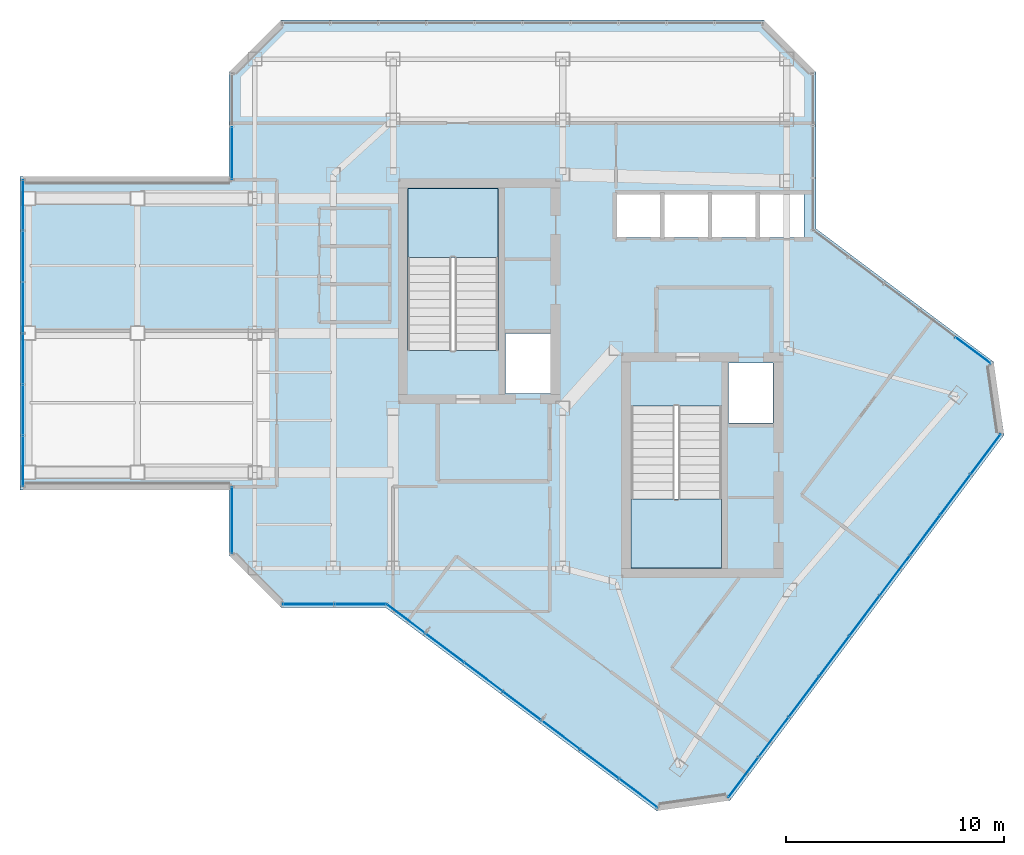
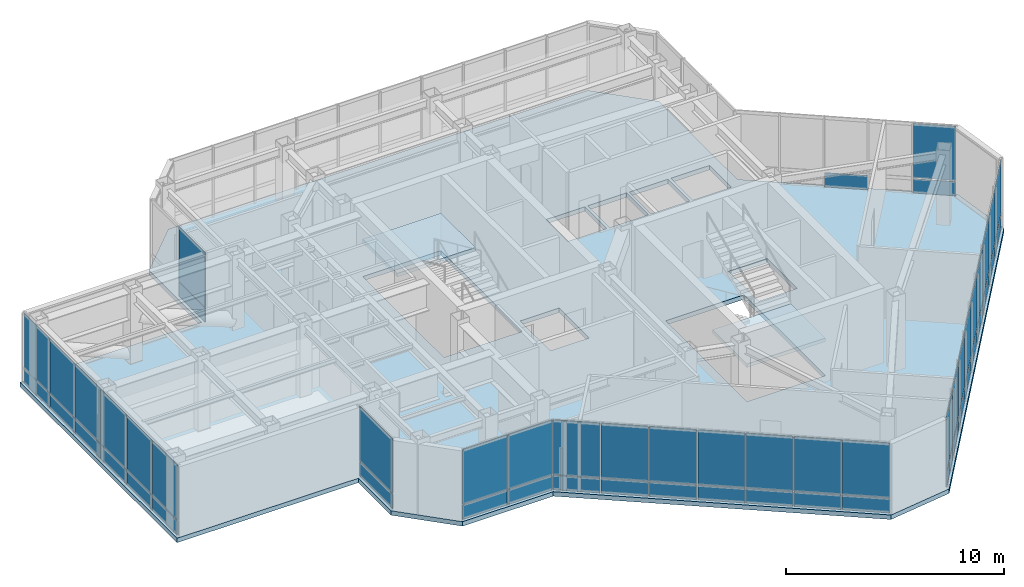
# One storey, part 16 of 22: 55 plates, 3 slabs, 9 elements without a shape of their own.
"""IFC4 building model written with IfcOpenShell, lengths in metres."""

from ifc_helpers import new_model, si_unit, direction, frame, origin, origin_2d, place, context, subcontext, project, spatial, polyline, rectangle, outline, extrude, material, layer, layer_set, type_object, element, aggregate, save


model = new_model("IFC4")

# Units and contexts
model_context = context("Model", 3, precision=1e-05, world=origin(), true_north=direction((0.0, 1.0)))
body_context = subcontext(model_context, "Body", "Model", "MODEL_VIEW")
ifc_project = project(units=[si_unit("LENGTHUNIT", "METRE"), si_unit("AREAUNIT", "SQUARE_METRE"), si_unit("VOLUMEUNIT", "CUBIC_METRE"), si_unit("PLANEANGLEUNIT", "RADIAN"), si_unit("MASSUNIT", "GRAM", prefix="KILO")], contexts=[model_context])

# Site, building, storey
site_placement = place(None, origin())
site = spatial("IfcSite", under=ifc_project, at=site_placement, CompositionType="ELEMENT")
building_placement = place(site_placement, origin())
building = spatial("IfcBuilding", under=site, at=building_placement, Name="Hatsunagi Terrace Concourse", CompositionType="ELEMENT")
storey_placement = place(building_placement, frame((0.0, 0.0, 257.550048828125)))
storey = spatial("IfcBuildingStorey", under=building, at=storey_placement, Name="L68", CompositionType="ELEMENT", Elevation=257.550048828125)

# Curtain wall, plate
ifc_material_1 = material(Name="Anodised Aluminium Alloy 6063-T5", Category="aluminium")
ifc_layer_1 = layer(ifc_material_1, 0.199951171875)
ifc_layer_set_1 = layer_set([ifc_layer_1], Name="SkyLobbyAtrium_CW05")
curtain_wall_type = type_object("IfcCurtainWallType", Name="SkyLobbyAtrium_CW05", PredefinedType="NOTDEFINED", material=ifc_layer_set_1)
curtain_wall_1_placement = place(storey_placement, origin())
curtain_wall_1 = element("IfcCurtainWall", 1, at=curtain_wall_1_placement, inside=storey, type_object=curtain_wall_type, Name="Unitised Curtain Wall CW-05 CW-L68-01", PredefinedType="NOTDEFINED")
ifc_material_2 = material(Name="Warm Terracotta Ceramic Spandrel Panel", Category="masonry")
ifc_layer_2 = layer(ifc_material_2, 0.031982421875)
ifc_layer_set_2 = layer_set([ifc_layer_2], Name="CurtainWallSpandrelPanel_32")
plate_type_1 = type_object("IfcPlateType", Name="CurtainWallSpandrelPanel_32", PredefinedType="SHEET", material=ifc_layer_set_2)
plate_1_placement = place(storey_placement, frame((18.139892578125, 44.281005859375, 0.030029296875), z_axis=(0.0, 0.0, 1.0), x_axis=(0.0, 1.0, 0.0)))
plate_1 = element("IfcPlate", 2, at=plate_1_placement, type_object=plate_type_1, Name="Terracotta Spandrel Panel SPN-01", PredefinedType="SHEET", context=body_context, shape_type="SweptSolid", body=[
    extrude(rectangle(XDim=2.385986328125, YDim=0.031982421875, at=origin_2d()), origin(), (0.0, 0.0, 1.0), 0.7900390625),
])

# Curtain wall, plates
curtain_wall_2_placement = place(storey_placement, origin())
curtain_wall_2 = element("IfcCurtainWall", 3, at=curtain_wall_2_placement, inside=storey, type_object=curtain_wall_type, Name="Unitised Curtain Wall CW-05 CW-L68-06", PredefinedType="NOTDEFINED")
plate_2_placement = place(storey_placement, frame((48.945068359375, 37.666015625, 0.030029296875), z_axis=(0.0, 0.0, 1.0), x_axis=(0.800023013105, -0.599969314634, 0.0)))
plate_2 = element("IfcPlate", 4, at=plate_2_placement, type_object=plate_type_1, Name="Terracotta Spandrel Panel SPN-01", PredefinedType="SHEET", context=body_context, shape_type="SweptSolid", body=[
    extrude(rectangle(XDim=1.987060546875, YDim=0.031982421875, at=origin_2d()), origin(), (0.0, 0.0, 1.0), 0.7900390625),
])
plate_3_placement = place(storey_placement, frame((52.212890625, 35.216064453125, 0.030029296875), z_axis=(0.0, 0.0, 1.0), x_axis=(0.800023013105, -0.599969314634, 0.0)))
plate_3 = element("IfcPlate", 5, at=plate_3_placement, type_object=plate_type_1, Name="Terracotta Spandrel Panel SPN-01", PredefinedType="SHEET", context=body_context, shape_type="SweptSolid", body=[
    extrude(rectangle(XDim=1.987060546875, YDim=0.031982421875, at=origin_2d()), origin(), (0.0, 0.0, 1.0), 0.7900390625),
])

curtain_wall_3_placement = place(storey_placement, origin())
curtain_wall_3 = element("IfcCurtainWall", 6, at=curtain_wall_3_placement, inside=storey, type_object=curtain_wall_type, Name="Unitised Curtain Wall CW-05 CW-L68-08", PredefinedType="NOTDEFINED")
plate_4_placement = place(storey_placement, frame((52.797119140625, 30.429931640625, 0.030029296875), z_axis=(0.0, 0.0, 1.0), x_axis=(-0.599969314634, -0.800023013105, 0.0)))
plate_4 = element("IfcPlate", 7, at=plate_4_placement, type_object=plate_type_1, Name="Terracotta Spandrel Panel SPN-01", PredefinedType="SHEET", context=body_context, shape_type="SweptSolid", body=[
    extrude(rectangle(XDim=2.264892578125, YDim=0.031982421875, at=origin_2d()), origin(), (0.0, 0.0, 1.0), 0.7900390625),
])
plate_5_placement = place(storey_placement, frame((51.405029296875, 28.572998046875, 0.030029296875), z_axis=(0.0, 0.0, 1.0), x_axis=(-0.599969314634, -0.800023013105, 0.0)))
plate_5 = element("IfcPlate", 8, at=plate_5_placement, type_object=plate_type_1, Name="Terracotta Spandrel Panel SPN-01", PredefinedType="SHEET", context=body_context, shape_type="SweptSolid", body=[
    extrude(rectangle(XDim=2.264892578125, YDim=0.031982421875, at=origin_2d()), origin(), (0.0, 0.0, 1.0), 0.7900390625),
])
plate_6_placement = place(storey_placement, frame((50.011962890625, 26.717041015625, 0.030029296875), z_axis=(0.0, 0.0, 1.0), x_axis=(-0.599969314634, -0.800023013105, 0.0)))
plate_6 = element("IfcPlate", 9, at=plate_6_placement, type_object=plate_type_1, Name="Terracotta Spandrel Panel SPN-01", PredefinedType="SHEET", context=body_context, shape_type="SweptSolid", body=[
    extrude(rectangle(XDim=2.264892578125, YDim=0.031982421875, at=origin_2d()), origin(), (0.0, 0.0, 1.0), 0.7900390625),
])
plate_7_placement = place(storey_placement, frame((48.6201171875, 24.860107421875, 0.030029296875), z_axis=(0.0, 0.0, 1.0), x_axis=(-0.599969314634, -0.800023013105, 0.0)))
plate_7 = element("IfcPlate", 10, at=plate_7_placement, type_object=plate_type_1, Name="Terracotta Spandrel Panel SPN-01", PredefinedType="SHEET", context=body_context, shape_type="SweptSolid", body=[
    extrude(rectangle(XDim=2.264892578125, YDim=0.031982421875, at=origin_2d()), origin(), (0.0, 0.0, 1.0), 0.7900390625),
])
plate_8_placement = place(storey_placement, frame((47.22802734375, 23.00390625, 0.030029296875), z_axis=(0.0, 0.0, 1.0), x_axis=(-0.599969314634, -0.800023013105, 0.0)))
plate_8 = element("IfcPlate", 11, at=plate_8_placement, type_object=plate_type_1, Name="Terracotta Spandrel Panel SPN-01", PredefinedType="SHEET", context=body_context, shape_type="SweptSolid", body=[
    extrude(rectangle(XDim=2.264892578125, YDim=0.031982421875, at=origin_2d()), origin(), (0.0, 0.0, 1.0), 0.7900390625),
])
plate_9_placement = place(storey_placement, frame((45.8359375, 21.14794921875, 0.030029296875), z_axis=(0.0, 0.0, 1.0), x_axis=(-0.599969314634, -0.800023013105, 0.0)))
plate_9 = element("IfcPlate", 12, at=plate_9_placement, type_object=plate_type_1, Name="Terracotta Spandrel Panel SPN-01", PredefinedType="SHEET", context=body_context, shape_type="SweptSolid", body=[
    extrude(rectangle(XDim=2.264892578125, YDim=0.031982421875, at=origin_2d()), origin(), (0.0, 0.0, 1.0), 0.7900390625),
])
plate_10_placement = place(storey_placement, frame((44.444091796875, 19.291015625, 0.030029296875), z_axis=(0.0, 0.0, 1.0), x_axis=(-0.599969314634, -0.800023013105, 0.0)))
plate_10 = element("IfcPlate", 13, at=plate_10_placement, type_object=plate_type_1, Name="Terracotta Spandrel Panel SPN-01", PredefinedType="SHEET", context=body_context, shape_type="SweptSolid", body=[
    extrude(rectangle(XDim=2.264892578125, YDim=0.031982421875, at=origin_2d()), origin(), (0.0, 0.0, 1.0), 0.7900390625),
])
plate_11_placement = place(storey_placement, frame((43.051025390625, 17.43505859375, 0.030029296875), z_axis=(0.0, 0.0, 1.0), x_axis=(-0.599969314634, -0.800023013105, 0.0)))
plate_11 = element("IfcPlate", 14, at=plate_11_placement, type_object=plate_type_1, Name="Terracotta Spandrel Panel SPN-01", PredefinedType="SHEET", context=body_context, shape_type="SweptSolid", body=[
    extrude(rectangle(XDim=2.264892578125, YDim=0.031982421875, at=origin_2d()), origin(), (0.0, 0.0, 1.0), 0.7900390625),
])
plate_12_placement = place(storey_placement, frame((41.658935546875, 15.577880859375, 0.030029296875), z_axis=(0.0, 0.0, 1.0), x_axis=(-0.599969314634, -0.800023013105, 0.0)))
plate_12 = element("IfcPlate", 15, at=plate_12_placement, type_object=plate_type_1, Name="Terracotta Spandrel Panel SPN-01", PredefinedType="SHEET", context=body_context, shape_type="SweptSolid", body=[
    extrude(rectangle(XDim=2.264892578125, YDim=0.031982421875, at=origin_2d()), origin(), (0.0, 0.0, 1.0), 0.7900390625),
])

curtain_wall_4_placement = place(storey_placement, origin())
curtain_wall_4 = element("IfcCurtainWall", 16, at=curtain_wall_4_placement, inside=storey, type_object=curtain_wall_type, Name="Unitised Curtain Wall CW-05 CW-L68-10", PredefinedType="NOTDEFINED")
plate_13_placement = place(storey_placement, frame((36.826904296875, 14.85498046875, 0.030029296875), z_axis=(0.0, 0.0, 1.0), x_axis=(-0.800007305671, 0.599990258982, 0.0)))
plate_13 = element("IfcPlate", 17, at=plate_13_placement, type_object=plate_type_1, Name="Terracotta Spandrel Panel SPN-01", PredefinedType="SHEET", context=body_context, shape_type="SweptSolid", body=[
    extrude(rectangle(XDim=2.172119140625, YDim=0.031982421875, at=origin_2d()), origin(), (0.0, 0.0, 1.0), 0.7900390625),
])
plate_14_placement = place(storey_placement, frame((35.0458984375, 16.19091796875, 0.030029296875), z_axis=(0.0, 0.0, 1.0), x_axis=(-0.800007305671, 0.599990258982, 0.0)))
plate_14 = element("IfcPlate", 18, at=plate_14_placement, type_object=plate_type_1, Name="Terracotta Spandrel Panel SPN-01", PredefinedType="SHEET", context=body_context, shape_type="SweptSolid", body=[
    extrude(rectangle(XDim=2.172119140625, YDim=0.031982421875, at=origin_2d()), origin(), (0.0, 0.0, 1.0), 0.7900390625),
])
plate_15_placement = place(storey_placement, frame((33.263916015625, 17.527099609375, 0.030029296875), z_axis=(0.0, 0.0, 1.0), x_axis=(-0.800007305671, 0.599990258982, 0.0)))
plate_15 = element("IfcPlate", 19, at=plate_15_placement, type_object=plate_type_1, Name="Terracotta Spandrel Panel SPN-01", PredefinedType="SHEET", context=body_context, shape_type="SweptSolid", body=[
    extrude(rectangle(XDim=2.172119140625, YDim=0.031982421875, at=origin_2d()), origin(), (0.0, 0.0, 1.0), 0.7900390625),
])
plate_16_placement = place(storey_placement, frame((31.48291015625, 18.863037109375, 0.030029296875), z_axis=(0.0, 0.0, 1.0), x_axis=(-0.800007305671, 0.599990258982, 0.0)))
plate_16 = element("IfcPlate", 20, at=plate_16_placement, type_object=plate_type_1, Name="Terracotta Spandrel Panel SPN-01", PredefinedType="SHEET", context=body_context, shape_type="SweptSolid", body=[
    extrude(rectangle(XDim=2.172119140625, YDim=0.031982421875, at=origin_2d()), origin(), (0.0, 0.0, 1.0), 0.7900390625),
])
plate_17_placement = place(storey_placement, frame((29.700927734375, 20.199951171875, 0.030029296875), z_axis=(0.0, 0.0, 1.0), x_axis=(-0.800007305671, 0.599990258982, 0.0)))
plate_17 = element("IfcPlate", 21, at=plate_17_placement, type_object=plate_type_1, Name="Terracotta Spandrel Panel SPN-01", PredefinedType="SHEET", context=body_context, shape_type="SweptSolid", body=[
    extrude(rectangle(XDim=2.172119140625, YDim=0.031982421875, at=origin_2d()), origin(), (0.0, 0.0, 1.0), 0.7900390625),
])
plate_18_placement = place(storey_placement, frame((27.9189453125, 21.535888671875, 0.030029296875), z_axis=(0.0, 0.0, 1.0), x_axis=(-0.800007305671, 0.599990258982, 0.0)))
plate_18 = element("IfcPlate", 22, at=plate_18_placement, type_object=plate_type_1, Name="Terracotta Spandrel Panel SPN-01", PredefinedType="SHEET", context=body_context, shape_type="SweptSolid", body=[
    extrude(rectangle(XDim=2.172119140625, YDim=0.031982421875, at=origin_2d()), origin(), (0.0, 0.0, 1.0), 0.7900390625),
])
plate_19_placement = place(storey_placement, frame((26.137939453125, 22.8720703125, 0.030029296875), z_axis=(0.0, 0.0, 1.0), x_axis=(-0.800007305671, 0.599990258982, 0.0)))
plate_19 = element("IfcPlate", 23, at=plate_19_placement, type_object=plate_type_1, Name="Terracotta Spandrel Panel SPN-01", PredefinedType="SHEET", context=body_context, shape_type="SweptSolid", body=[
    extrude(rectangle(XDim=2.172119140625, YDim=0.031982421875, at=origin_2d()), origin(), (0.0, 0.0, 1.0), 0.7900390625),
])

curtain_wall_5_placement = place(storey_placement, origin())
curtain_wall_5 = element("IfcCurtainWall", 24, at=curtain_wall_5_placement, inside=storey, type_object=curtain_wall_type, Name="Unitised Curtain Wall CW-05 CW-L68-11", PredefinedType="NOTDEFINED")
plate_20_placement = place(storey_placement, frame((24.050048828125, 23.5400390625, 0.030029296875), z_axis=(0.0, 0.0, 1.0), x_axis=(-1.0, 0.0, 0.0)))
plate_20 = element("IfcPlate", 25, at=plate_20_placement, type_object=plate_type_1, Name="Terracotta Spandrel Panel SPN-01", PredefinedType="SHEET", context=body_context, shape_type="SweptSolid", body=[
    extrude(rectangle(XDim=2.340087890625, YDim=0.031982421875, at=origin_2d()), origin(), (0.0, 0.0, 1.0), 0.7900390625),
])
plate_21_placement = place(storey_placement, frame((21.655029296875, 23.5400390625, 0.030029296875), z_axis=(0.0, 0.0, 1.0), x_axis=(-1.0, 0.0, 0.0)))
plate_21 = element("IfcPlate", 26, at=plate_21_placement, type_object=plate_type_1, Name="Terracotta Spandrel Panel SPN-01", PredefinedType="SHEET", context=body_context, shape_type="SweptSolid", body=[
    extrude(rectangle(XDim=2.340087890625, YDim=0.031982421875, at=origin_2d()), origin(), (0.0, 0.0, 1.0), 0.7900390625),
])

# Curtain wall, plate
curtain_wall_6_placement = place(storey_placement, origin())
curtain_wall_6 = element("IfcCurtainWall", 27, at=curtain_wall_6_placement, inside=storey, type_object=curtain_wall_type, Name="Unitised Curtain Wall CW-05 CW-L68-13", PredefinedType="NOTDEFINED")
plate_22_placement = place(storey_placement, frame((18.139892578125, 27.39892578125, 0.030029296875), z_axis=(0.0, 0.0, 1.0), x_axis=(0.0, 1.0, 0.0)))
plate_22 = element("IfcPlate", 28, at=plate_22_placement, type_object=plate_type_1, Name="Terracotta Spandrel Panel SPN-01", PredefinedType="SHEET", context=body_context, shape_type="SweptSolid", body=[
    extrude(rectangle(XDim=3.027099609375, YDim=0.031982421875, at=origin_2d()), origin(), (0.0, 0.0, 1.0), 0.7900390625),
])

# Curtain wall, plates
curtain_wall_7_placement = place(storey_placement, origin())
curtain_wall_7 = element("IfcCurtainWall", 29, at=curtain_wall_7_placement, inside=storey, type_object=curtain_wall_type, Name="Unitised Curtain Wall CW-05 CW-L68-15", PredefinedType="NOTDEFINED")
plate_23_placement = place(storey_placement, frame((8.5400390625, 30.116943359375, 0.030029296875), z_axis=(0.0, 0.0, 1.0), x_axis=(0.0, 1.0, 0.0)))
plate_23 = element("IfcPlate", 30, at=plate_23_placement, type_object=plate_type_1, Name="Terracotta Spandrel Panel SPN-01", PredefinedType="SHEET", context=body_context, shape_type="SweptSolid", body=[
    extrude(rectangle(XDim=2.298095703125, YDim=0.031982421875, at=origin_2d()), origin(), (0.0, 0.0, 1.0), 0.7900390625),
])
plate_24_placement = place(storey_placement, frame((8.5400390625, 32.469970703125, 0.030029296875), z_axis=(0.0, 0.0, 1.0), x_axis=(0.0, 1.0, 0.0)))
plate_24 = element("IfcPlate", 31, at=plate_24_placement, type_object=plate_type_1, Name="Terracotta Spandrel Panel SPN-01", PredefinedType="SHEET", context=body_context, shape_type="SweptSolid", body=[
    extrude(rectangle(XDim=2.298095703125, YDim=0.031982421875, at=origin_2d()), origin(), (0.0, 0.0, 1.0), 0.7900390625),
])
plate_25_placement = place(storey_placement, frame((8.5400390625, 34.822998046875, 0.030029296875), z_axis=(0.0, 0.0, 1.0), x_axis=(0.0, 1.0, 0.0)))
plate_25 = element("IfcPlate", 32, at=plate_25_placement, type_object=plate_type_1, Name="Terracotta Spandrel Panel SPN-01", PredefinedType="SHEET", context=body_context, shape_type="SweptSolid", body=[
    extrude(rectangle(XDim=2.298095703125, YDim=0.031982421875, at=origin_2d()), origin(), (0.0, 0.0, 1.0), 0.7900390625),
])
plate_26_placement = place(storey_placement, frame((8.5400390625, 37.177001953125, 0.030029296875), z_axis=(0.0, 0.0, 1.0), x_axis=(0.0, 1.0, 0.0)))
plate_26 = element("IfcPlate", 33, at=plate_26_placement, type_object=plate_type_1, Name="Terracotta Spandrel Panel SPN-01", PredefinedType="SHEET", context=body_context, shape_type="SweptSolid", body=[
    extrude(rectangle(XDim=2.298095703125, YDim=0.031982421875, at=origin_2d()), origin(), (0.0, 0.0, 1.0), 0.7900390625),
])
plate_27_placement = place(storey_placement, frame((8.5400390625, 39.530029296875, 0.030029296875), z_axis=(0.0, 0.0, 1.0), x_axis=(0.0, 1.0, 0.0)))
plate_27 = element("IfcPlate", 34, at=plate_27_placement, type_object=plate_type_1, Name="Terracotta Spandrel Panel SPN-01", PredefinedType="SHEET", context=body_context, shape_type="SweptSolid", body=[
    extrude(rectangle(XDim=2.298095703125, YDim=0.031982421875, at=origin_2d()), origin(), (0.0, 0.0, 1.0), 0.7900390625),
])
plate_28_placement = place(storey_placement, frame((8.5400390625, 41.883056640625, 0.030029296875), z_axis=(0.0, 0.0, 1.0), x_axis=(0.0, 1.0, 0.0)))
plate_28 = element("IfcPlate", 35, at=plate_28_placement, type_object=plate_type_1, Name="Terracotta Spandrel Panel SPN-01", PredefinedType="SHEET", context=body_context, shape_type="SweptSolid", body=[
    extrude(rectangle(XDim=2.298095703125, YDim=0.031982421875, at=origin_2d()), origin(), (0.0, 0.0, 1.0), 0.7900390625),
])

# Plate
ifc_material_3 = material(Name="Low-E Double Insulating Glass 28mm", Category="glass")
ifc_layer_3 = layer(ifc_material_3, 0.028076171875)
ifc_layer_set_3 = layer_set([ifc_layer_3], Name="CurtainWallVisionGlass_28")
plate_type_2 = type_object("IfcPlateType", Name="CurtainWallVisionGlass_28", PredefinedType="CURTAIN_PANEL", material=ifc_layer_set_3)
plate_29_placement = place(storey_placement, frame((18.139892578125, 44.281005859375, 0.8798828125), z_axis=(0.0, 0.0, 1.0), x_axis=(0.0, 1.0, 0.0)))
plate_29 = element("IfcPlate", 36, at=plate_29_placement, type_object=plate_type_2, Name="Low-E Vision Glass Panel GLZ-01", PredefinedType="CURTAIN_PANEL", context=body_context, shape_type="SweptSolid", body=[
    extrude(rectangle(XDim=2.385986328125, YDim=0.028076171875, at=origin_2d()), origin(), (0.0, 0.0, 1.0), 3.0400390625),
])

aggregate(curtain_wall_1, [plate_1, plate_29])

plate_30_placement = place(storey_placement, frame((52.212890625, 35.216064453125, 0.8798828125), z_axis=(0.0, 0.0, 1.0), x_axis=(0.800023013105, -0.599969314634, 0.0)))
plate_30 = element("IfcPlate", 37, at=plate_30_placement, type_object=plate_type_2, Name="Low-E Vision Glass Panel GLZ-01", PredefinedType="CURTAIN_PANEL", context=body_context, shape_type="SweptSolid", body=[
    extrude(rectangle(XDim=1.987060546875, YDim=0.028076171875, at=origin_2d()), origin(), (0.0, 0.0, 1.0), 3.0400390625),
])

aggregate(curtain_wall_2, [plate_2, plate_3, plate_30])

plate_31_placement = place(storey_placement, frame((52.797119140625, 30.429931640625, 0.8798828125), z_axis=(0.0, 0.0, 1.0), x_axis=(-0.599969314634, -0.800023013105, 0.0)))
plate_31 = element("IfcPlate", 38, at=plate_31_placement, type_object=plate_type_2, Name="Low-E Vision Glass Panel GLZ-01", PredefinedType="CURTAIN_PANEL", context=body_context, shape_type="SweptSolid", body=[
    extrude(rectangle(XDim=2.264892578125, YDim=0.028076171875, at=origin_2d()), origin(), (0.0, 0.0, 1.0), 3.0400390625),
])

plate_32_placement = place(storey_placement, frame((51.405029296875, 28.572998046875, 0.8798828125), z_axis=(0.0, 0.0, 1.0), x_axis=(-0.599969314634, -0.800023013105, 0.0)))
plate_32 = element("IfcPlate", 39, at=plate_32_placement, type_object=plate_type_2, Name="Low-E Vision Glass Panel GLZ-01", PredefinedType="CURTAIN_PANEL", context=body_context, shape_type="SweptSolid", body=[
    extrude(rectangle(XDim=2.264892578125, YDim=0.028076171875, at=origin_2d()), origin(), (0.0, 0.0, 1.0), 3.0400390625),
])

plate_33_placement = place(storey_placement, frame((50.011962890625, 26.717041015625, 0.8798828125), z_axis=(0.0, 0.0, 1.0), x_axis=(-0.599969314634, -0.800023013105, 0.0)))
plate_33 = element("IfcPlate", 40, at=plate_33_placement, type_object=plate_type_2, Name="Low-E Vision Glass Panel GLZ-01", PredefinedType="CURTAIN_PANEL", context=body_context, shape_type="SweptSolid", body=[
    extrude(rectangle(XDim=2.264892578125, YDim=0.028076171875, at=origin_2d()), origin(), (0.0, 0.0, 1.0), 3.0400390625),
])

plate_34_placement = place(storey_placement, frame((48.6201171875, 24.860107421875, 0.8798828125), z_axis=(0.0, 0.0, 1.0), x_axis=(-0.599969314634, -0.800023013105, 0.0)))
plate_34 = element("IfcPlate", 41, at=plate_34_placement, type_object=plate_type_2, Name="Low-E Vision Glass Panel GLZ-01", PredefinedType="CURTAIN_PANEL", context=body_context, shape_type="SweptSolid", body=[
    extrude(rectangle(XDim=2.264892578125, YDim=0.028076171875, at=origin_2d()), origin(), (0.0, 0.0, 1.0), 3.0400390625),
])

plate_35_placement = place(storey_placement, frame((47.22802734375, 23.00390625, 0.8798828125), z_axis=(0.0, 0.0, 1.0), x_axis=(-0.599969314634, -0.800023013105, 0.0)))
plate_35 = element("IfcPlate", 42, at=plate_35_placement, type_object=plate_type_2, Name="Low-E Vision Glass Panel GLZ-01", PredefinedType="CURTAIN_PANEL", context=body_context, shape_type="SweptSolid", body=[
    extrude(rectangle(XDim=2.264892578125, YDim=0.028076171875, at=origin_2d()), origin(), (0.0, 0.0, 1.0), 3.0400390625),
])

plate_36_placement = place(storey_placement, frame((45.8359375, 21.14794921875, 0.8798828125), z_axis=(0.0, 0.0, 1.0), x_axis=(-0.599969314634, -0.800023013105, 0.0)))
plate_36 = element("IfcPlate", 43, at=plate_36_placement, type_object=plate_type_2, Name="Low-E Vision Glass Panel GLZ-01", PredefinedType="CURTAIN_PANEL", context=body_context, shape_type="SweptSolid", body=[
    extrude(rectangle(XDim=2.264892578125, YDim=0.028076171875, at=origin_2d()), origin(), (0.0, 0.0, 1.0), 3.0400390625),
])

plate_37_placement = place(storey_placement, frame((44.444091796875, 19.291015625, 0.8798828125), z_axis=(0.0, 0.0, 1.0), x_axis=(-0.599969314634, -0.800023013105, 0.0)))
plate_37 = element("IfcPlate", 44, at=plate_37_placement, type_object=plate_type_2, Name="Low-E Vision Glass Panel GLZ-01", PredefinedType="CURTAIN_PANEL", context=body_context, shape_type="SweptSolid", body=[
    extrude(rectangle(XDim=2.264892578125, YDim=0.028076171875, at=origin_2d()), origin(), (0.0, 0.0, 1.0), 3.0400390625),
])

plate_38_placement = place(storey_placement, frame((43.051025390625, 17.43505859375, 0.8798828125), z_axis=(0.0, 0.0, 1.0), x_axis=(-0.599969314634, -0.800023013105, 0.0)))
plate_38 = element("IfcPlate", 45, at=plate_38_placement, type_object=plate_type_2, Name="Low-E Vision Glass Panel GLZ-01", PredefinedType="CURTAIN_PANEL", context=body_context, shape_type="SweptSolid", body=[
    extrude(rectangle(XDim=2.264892578125, YDim=0.028076171875, at=origin_2d()), origin(), (0.0, 0.0, 1.0), 3.0400390625),
])

plate_39_placement = place(storey_placement, frame((41.658935546875, 15.577880859375, 0.8798828125), z_axis=(0.0, 0.0, 1.0), x_axis=(-0.599969314634, -0.800023013105, 0.0)))
plate_39 = element("IfcPlate", 46, at=plate_39_placement, type_object=plate_type_2, Name="Low-E Vision Glass Panel GLZ-01", PredefinedType="CURTAIN_PANEL", context=body_context, shape_type="SweptSolid", body=[
    extrude(rectangle(XDim=2.264892578125, YDim=0.028076171875, at=origin_2d()), origin(), (0.0, 0.0, 1.0), 3.0400390625),
])

aggregate(curtain_wall_3, [plate_4, plate_31, plate_5, plate_32, plate_6, plate_33, plate_7, plate_34, plate_8, plate_35, plate_9, plate_36, plate_10, plate_37, plate_11, plate_38, plate_12, plate_39])

plate_40_placement = place(storey_placement, frame((36.826904296875, 14.85498046875, 0.8798828125), z_axis=(0.0, 0.0, 1.0), x_axis=(-0.800007305671, 0.599990258982, 0.0)))
plate_40 = element("IfcPlate", 47, at=plate_40_placement, type_object=plate_type_2, Name="Low-E Vision Glass Panel GLZ-01", PredefinedType="CURTAIN_PANEL", context=body_context, shape_type="SweptSolid", body=[
    extrude(rectangle(XDim=2.172119140625, YDim=0.028076171875, at=origin_2d()), origin(), (0.0, 0.0, 1.0), 3.0400390625),
])

plate_41_placement = place(storey_placement, frame((35.0458984375, 16.19091796875, 0.8798828125), z_axis=(0.0, 0.0, 1.0), x_axis=(-0.800007305671, 0.599990258982, 0.0)))
plate_41 = element("IfcPlate", 48, at=plate_41_placement, type_object=plate_type_2, Name="Low-E Vision Glass Panel GLZ-01", PredefinedType="CURTAIN_PANEL", context=body_context, shape_type="SweptSolid", body=[
    extrude(rectangle(XDim=2.172119140625, YDim=0.028076171875, at=origin_2d()), origin(), (0.0, 0.0, 1.0), 3.0400390625),
])

plate_42_placement = place(storey_placement, frame((33.263916015625, 17.527099609375, 0.8798828125), z_axis=(0.0, 0.0, 1.0), x_axis=(-0.800007305671, 0.599990258982, 0.0)))
plate_42 = element("IfcPlate", 49, at=plate_42_placement, type_object=plate_type_2, Name="Low-E Vision Glass Panel GLZ-01", PredefinedType="CURTAIN_PANEL", context=body_context, shape_type="SweptSolid", body=[
    extrude(rectangle(XDim=2.172119140625, YDim=0.028076171875, at=origin_2d()), origin(), (0.0, 0.0, 1.0), 3.0400390625),
])

plate_43_placement = place(storey_placement, frame((31.48291015625, 18.863037109375, 0.8798828125), z_axis=(0.0, 0.0, 1.0), x_axis=(-0.800007305671, 0.599990258982, 0.0)))
plate_43 = element("IfcPlate", 50, at=plate_43_placement, type_object=plate_type_2, Name="Low-E Vision Glass Panel GLZ-01", PredefinedType="CURTAIN_PANEL", context=body_context, shape_type="SweptSolid", body=[
    extrude(rectangle(XDim=2.172119140625, YDim=0.028076171875, at=origin_2d()), origin(), (0.0, 0.0, 1.0), 3.0400390625),
])

plate_44_placement = place(storey_placement, frame((29.700927734375, 20.199951171875, 0.8798828125), z_axis=(0.0, 0.0, 1.0), x_axis=(-0.800007305671, 0.599990258982, 0.0)))
plate_44 = element("IfcPlate", 51, at=plate_44_placement, type_object=plate_type_2, Name="Low-E Vision Glass Panel GLZ-01", PredefinedType="CURTAIN_PANEL", context=body_context, shape_type="SweptSolid", body=[
    extrude(rectangle(XDim=2.172119140625, YDim=0.028076171875, at=origin_2d()), origin(), (0.0, 0.0, 1.0), 3.0400390625),
])

plate_45_placement = place(storey_placement, frame((27.9189453125, 21.535888671875, 0.8798828125), z_axis=(0.0, 0.0, 1.0), x_axis=(-0.800007305671, 0.599990258982, 0.0)))
plate_45 = element("IfcPlate", 52, at=plate_45_placement, type_object=plate_type_2, Name="Low-E Vision Glass Panel GLZ-01", PredefinedType="CURTAIN_PANEL", context=body_context, shape_type="SweptSolid", body=[
    extrude(rectangle(XDim=2.172119140625, YDim=0.028076171875, at=origin_2d()), origin(), (0.0, 0.0, 1.0), 3.0400390625),
])

plate_46_placement = place(storey_placement, frame((26.137939453125, 22.8720703125, 0.8798828125), z_axis=(0.0, 0.0, 1.0), x_axis=(-0.800007305671, 0.599990258982, 0.0)))
plate_46 = element("IfcPlate", 53, at=plate_46_placement, type_object=plate_type_2, Name="Low-E Vision Glass Panel GLZ-01", PredefinedType="CURTAIN_PANEL", context=body_context, shape_type="SweptSolid", body=[
    extrude(rectangle(XDim=2.172119140625, YDim=0.028076171875, at=origin_2d()), origin(), (0.0, 0.0, 1.0), 3.0400390625),
])

aggregate(curtain_wall_4, [plate_13, plate_40, plate_14, plate_41, plate_15, plate_42, plate_16, plate_43, plate_17, plate_44, plate_18, plate_45, plate_19, plate_46])

plate_47_placement = place(storey_placement, frame((24.050048828125, 23.5400390625, 0.8798828125), z_axis=(0.0, 0.0, 1.0), x_axis=(-1.0, 0.0, 0.0)))
plate_47 = element("IfcPlate", 54, at=plate_47_placement, type_object=plate_type_2, Name="Low-E Vision Glass Panel GLZ-01", PredefinedType="CURTAIN_PANEL", context=body_context, shape_type="SweptSolid", body=[
    extrude(rectangle(XDim=2.340087890625, YDim=0.028076171875, at=origin_2d()), origin(), (0.0, 0.0, 1.0), 3.0400390625),
])

plate_48_placement = place(storey_placement, frame((21.655029296875, 23.5400390625, 0.8798828125), z_axis=(0.0, 0.0, 1.0), x_axis=(-1.0, 0.0, 0.0)))
plate_48 = element("IfcPlate", 55, at=plate_48_placement, type_object=plate_type_2, Name="Low-E Vision Glass Panel GLZ-01", PredefinedType="CURTAIN_PANEL", context=body_context, shape_type="SweptSolid", body=[
    extrude(rectangle(XDim=2.340087890625, YDim=0.028076171875, at=origin_2d()), origin(), (0.0, 0.0, 1.0), 3.0400390625),
])

aggregate(curtain_wall_5, [plate_20, plate_47, plate_21, plate_48])

plate_49_placement = place(storey_placement, frame((18.139892578125, 27.39892578125, 0.8798828125), z_axis=(0.0, 0.0, 1.0), x_axis=(0.0, 1.0, 0.0)))
plate_49 = element("IfcPlate", 56, at=plate_49_placement, type_object=plate_type_2, Name="Low-E Vision Glass Panel GLZ-01", PredefinedType="CURTAIN_PANEL", context=body_context, shape_type="SweptSolid", body=[
    extrude(rectangle(XDim=3.027099609375, YDim=0.028076171875, at=origin_2d()), origin(), (0.0, 0.0, 1.0), 3.0400390625),
])

aggregate(curtain_wall_6, [plate_22, plate_49])

plate_50_placement = place(storey_placement, frame((8.5400390625, 30.116943359375, 0.8798828125), z_axis=(0.0, 0.0, 1.0), x_axis=(0.0, 1.0, 0.0)))
plate_50 = element("IfcPlate", 57, at=plate_50_placement, type_object=plate_type_2, Name="Low-E Vision Glass Panel GLZ-01", PredefinedType="CURTAIN_PANEL", context=body_context, shape_type="SweptSolid", body=[
    extrude(rectangle(XDim=2.298095703125, YDim=0.028076171875, at=origin_2d()), origin(), (0.0, 0.0, 1.0), 3.0400390625),
])

plate_51_placement = place(storey_placement, frame((8.5400390625, 32.469970703125, 0.8798828125), z_axis=(0.0, 0.0, 1.0), x_axis=(0.0, 1.0, 0.0)))
plate_51 = element("IfcPlate", 58, at=plate_51_placement, type_object=plate_type_2, Name="Low-E Vision Glass Panel GLZ-01", PredefinedType="CURTAIN_PANEL", context=body_context, shape_type="SweptSolid", body=[
    extrude(rectangle(XDim=2.298095703125, YDim=0.028076171875, at=origin_2d()), origin(), (0.0, 0.0, 1.0), 3.0400390625),
])

plate_52_placement = place(storey_placement, frame((8.5400390625, 34.822998046875, 0.8798828125), z_axis=(0.0, 0.0, 1.0), x_axis=(0.0, 1.0, 0.0)))
plate_52 = element("IfcPlate", 59, at=plate_52_placement, type_object=plate_type_2, Name="Low-E Vision Glass Panel GLZ-01", PredefinedType="CURTAIN_PANEL", context=body_context, shape_type="SweptSolid", body=[
    extrude(rectangle(XDim=2.298095703125, YDim=0.028076171875, at=origin_2d()), origin(), (0.0, 0.0, 1.0), 3.0400390625),
])

plate_53_placement = place(storey_placement, frame((8.5400390625, 37.177001953125, 0.8798828125), z_axis=(0.0, 0.0, 1.0), x_axis=(0.0, 1.0, 0.0)))
plate_53 = element("IfcPlate", 60, at=plate_53_placement, type_object=plate_type_2, Name="Low-E Vision Glass Panel GLZ-01", PredefinedType="CURTAIN_PANEL", context=body_context, shape_type="SweptSolid", body=[
    extrude(rectangle(XDim=2.298095703125, YDim=0.028076171875, at=origin_2d()), origin(), (0.0, 0.0, 1.0), 3.0400390625),
])

plate_54_placement = place(storey_placement, frame((8.5400390625, 39.530029296875, 0.8798828125), z_axis=(0.0, 0.0, 1.0), x_axis=(0.0, 1.0, 0.0)))
plate_54 = element("IfcPlate", 61, at=plate_54_placement, type_object=plate_type_2, Name="Low-E Vision Glass Panel GLZ-01", PredefinedType="CURTAIN_PANEL", context=body_context, shape_type="SweptSolid", body=[
    extrude(rectangle(XDim=2.298095703125, YDim=0.028076171875, at=origin_2d()), origin(), (0.0, 0.0, 1.0), 3.0400390625),
])

plate_55_placement = place(storey_placement, frame((8.5400390625, 41.883056640625, 0.8798828125), z_axis=(0.0, 0.0, 1.0), x_axis=(0.0, 1.0, 0.0)))
plate_55 = element("IfcPlate", 62, at=plate_55_placement, type_object=plate_type_2, Name="Low-E Vision Glass Panel GLZ-01", PredefinedType="CURTAIN_PANEL", context=body_context, shape_type="SweptSolid", body=[
    extrude(rectangle(XDim=2.298095703125, YDim=0.028076171875, at=origin_2d()), origin(), (0.0, 0.0, 1.0), 3.0400390625),
])

aggregate(curtain_wall_7, [plate_23, plate_50, plate_24, plate_51, plate_25, plate_52, plate_26, plate_53, plate_27, plate_54, plate_28, plate_55])

# Stair, slab
ifc_material_4 = material(Name="Concrete Fc42", Category="concrete")
stair_type = type_object("IfcStairType", Name="DoglegExitStair_Tower2000_24R_175", PredefinedType="HALF_TURN_STAIR", material=ifc_material_4)
stair_1_placement = place(storey_placement, origin())
stair_1 = element("IfcStair", 63, at=stair_1_placement, inside=storey, type_object=stair_type, Name="L68 Core A Protected Exit Stair ST-A", PredefinedType="HALF_TURN_STAIR")
ifc_material_5 = material(Name="Concrete Fc42", Category="concrete")
ifc_layer_4 = layer(ifc_material_5, 0.199951171875)
ifc_layer_set_4 = layer_set([ifc_layer_4], Name="DoglegStairLanding_Tower2000")
slab_type_1 = type_object("IfcSlabType", Name="DoglegStairLanding_Tower2000", PredefinedType="LANDING", material=ifc_layer_set_4)
slab_1_placement = place(storey_placement, frame((0.0, 0.0, 1.89990234375)))
slab_1 = element("IfcSlab", 64, at=slab_1_placement, type_object=slab_type_1, Name="ST-A landing 1", PredefinedType="LANDING", context=body_context, shape_type="SweptSolid", body=[
    extrude(outline(polyline([(30.3798828125, 39.489990234375), (30.3798828125, 42.659912109375), (26.22998046875, 42.659912109375), (26.22998046875, 39.489990234375), (30.3798828125, 39.489990234375)])), origin(), (0.0, 0.0, 1.0), 0.199951171875),
])
aggregate(stair_1, [slab_1])

stair_2_placement = place(storey_placement, origin())
stair_2 = element("IfcStair", 65, at=stair_2_placement, inside=storey, type_object=stair_type, Name="L68 Core B Protected Exit Stair ST-B", PredefinedType="HALF_TURN_STAIR")
slab_2_placement = place(storey_placement, frame((0.0, 0.0, 1.89990234375)))
slab_2 = element("IfcSlab", 66, at=slab_2_placement, type_object=slab_type_1, Name="ST-B landing 1", PredefinedType="LANDING", context=body_context, shape_type="SweptSolid", body=[
    extrude(outline(polyline([(36.5, 28.3701171875), (36.5, 25.199951171875), (40.64990234375, 25.199951171875), (40.64990234375, 28.3701171875), (36.5, 28.3701171875)])), origin(), (0.0, 0.0, 1.0), 0.199951171875),
])
aggregate(stair_2, [slab_2])

# Slab
ifc_material_6 = material(Name="Concrete Fc42", Category="concrete")
ifc_layer_5 = layer(ifc_material_6, 0.25)
ifc_layer_set_5 = layer_set([ifc_layer_5], Name="OfficeCrownSlab_Fc42_250")
slab_type_2 = type_object("IfcSlabType", Name="OfficeCrownSlab_Fc42_250", PredefinedType="FLOOR", material=ifc_layer_set_5)
slab_3_placement = place(storey_placement, frame((0.0, 0.0, -0.25)))
element("IfcSlab", 67, at=slab_3_placement, inside=storey, type_object=slab_type_2, Name="Floor Slab SL-250 L68", PredefinedType="FLOOR", context=body_context, shape_type="SweptSolid", body=[
    extrude(outline(polyline([(18.0, 43.199951171875), (8.39990234375, 43.199951171875), (8.39990234375, 28.800048828125), (18.0, 28.800048828125), (18.0, 25.800048828125), (20.39990234375, 23.39990234375), (25.199951171875, 23.39990234375), (37.679931640625, 14.0400390625), (41.0400390625, 14.52001953125), (53.639892578125, 31.320068359375), (53.159912109375, 34.679931640625), (45.0, 40.800048828125), (45.0, 48.0), (42.60009765625, 50.39990234375), (20.39990234375, 50.39990234375), (18.0, 48.0), (18.0, 43.199951171875)]), holes=[polyline([(26.22998046875, 35.205078125), (30.3798828125, 35.205078125), (30.3798828125, 42.659912109375), (26.22998046875, 42.659912109375), (26.22998046875, 35.205078125)]), polyline([(36.5, 25.199951171875), (40.64990234375, 25.199951171875), (40.64990234375, 32.655029296875), (36.5, 32.655029296875), (36.5, 25.199951171875)]), polyline([(30.719970703125, 33.219970703125), (32.780029296875, 33.219970703125), (32.780029296875, 35.97998046875), (30.719970703125, 35.97998046875), (30.719970703125, 33.219970703125)]), polyline([(40.97998046875, 31.8798828125), (43.02001953125, 31.8798828125), (43.02001953125, 34.639892578125), (40.97998046875, 34.639892578125), (40.97998046875, 31.8798828125)]), polyline([(35.800048828125, 40.39990234375), (37.85009765625, 40.39990234375), (37.85009765625, 42.39990234375), (35.800048828125, 42.39990234375), (35.800048828125, 40.39990234375)]), polyline([(38.0, 40.39990234375), (40.050048828125, 40.39990234375), (40.050048828125, 42.39990234375), (38.0, 42.39990234375), (38.0, 40.39990234375)]), polyline([(40.199951171875, 40.39990234375), (42.25, 40.39990234375), (42.25, 42.39990234375), (40.199951171875, 42.39990234375), (40.199951171875, 40.39990234375)]), polyline([(42.39990234375, 40.39990234375), (44.449951171875, 40.39990234375), (44.449951171875, 42.39990234375), (42.39990234375, 42.39990234375), (42.39990234375, 40.39990234375)])]), origin(), (0.0, 0.0, 1.0), 0.25),
])

save(model, "model.ifc")
